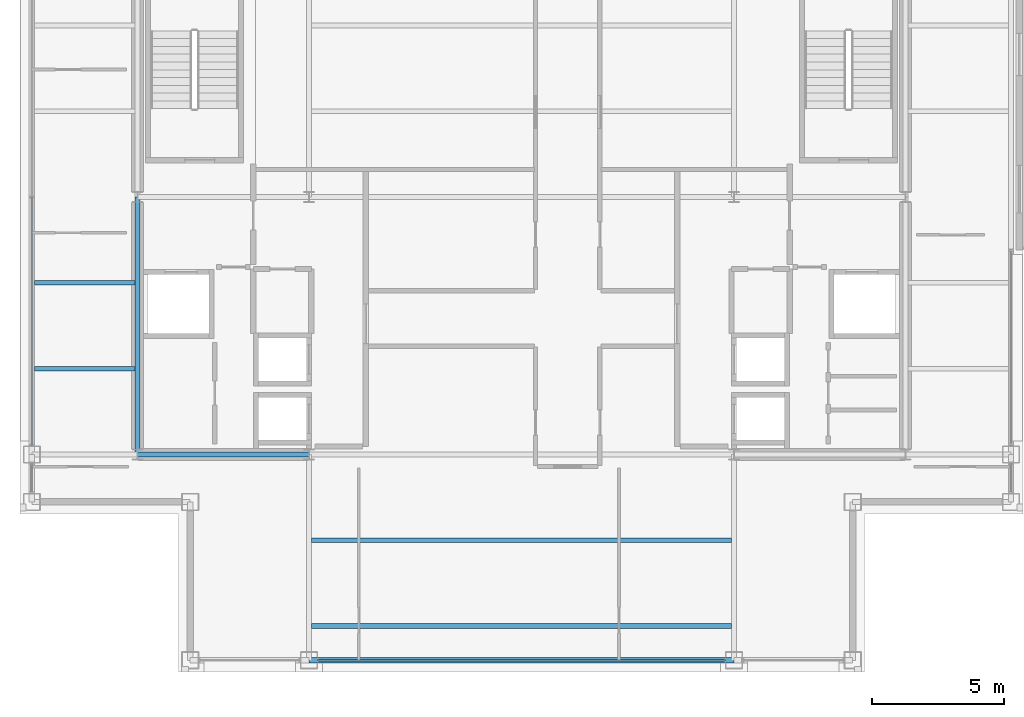
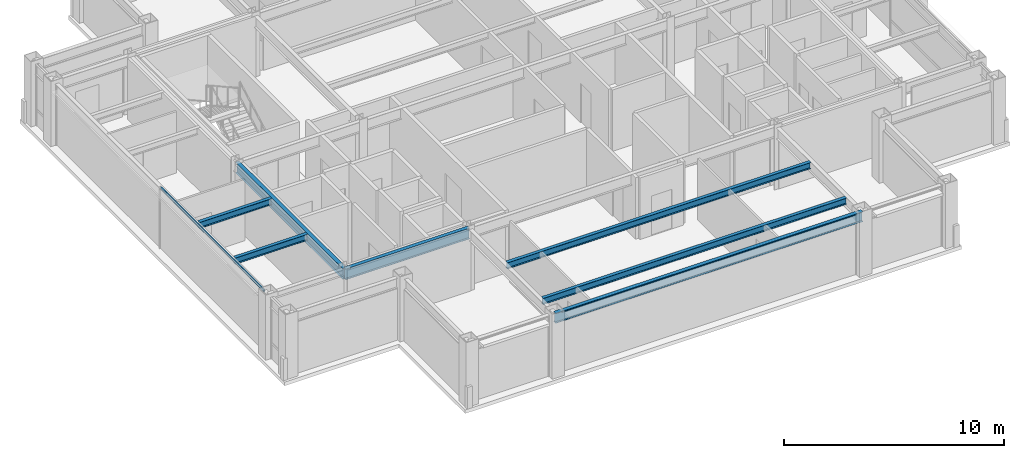
# One storey, part 4 of 24: 7 beams, 2 members, 2 elements without a shape of their own.
"""IFC4 building model written with IfcOpenShell, lengths in metres."""

from ifc_helpers import new_model, si_unit, direction, frame, origin, origin_2d, place, context, subcontext, project, spatial, hollow_rectangle, i_section, extrude, material, layer, layer_set, material_profile, profile_set, type_object, element, aggregate, save


model = new_model("IFC4")

# Units and contexts
model_context = context("Model", 3, precision=1e-05, world=origin(), true_north=direction((0.0, 1.0)))
body_context = subcontext(model_context, "Body", "Model", "MODEL_VIEW")
ifc_project = project(units=[si_unit("LENGTHUNIT", "METRE"), si_unit("AREAUNIT", "SQUARE_METRE"), si_unit("VOLUMEUNIT", "CUBIC_METRE"), si_unit("PLANEANGLEUNIT", "RADIAN"), si_unit("MASSUNIT", "GRAM", prefix="KILO")], contexts=[model_context])

# Site, building, storey
site_placement = place(None, origin())
site = spatial("IfcSite", under=ifc_project, at=site_placement, CompositionType="ELEMENT")
building_placement = place(site_placement, origin())
building = spatial("IfcBuilding", under=site, at=building_placement, Name="Brelmoor Portico Tower", CompositionType="ELEMENT")
storey_placement = place(building_placement, frame((0.0, 0.0, 240.0)))
storey = spatial("IfcBuildingStorey", under=building, at=storey_placement, Name="L63", CompositionType="ELEMENT", Elevation=240.0)

# Beams
ifc_material_1 = material(Name="Steel Q355B", Category="steel")
ifc_material_profile_1 = material_profile(ifc_material_1, i_section(OverallWidth=0.175048828125, OverallDepth=0.35009765625, WebThickness=0.007080078125, FlangeThickness=0.010986328125, at=origin_2d()), Name="HN 350x175x7x11")
ifc_profile_set_1 = profile_set([ifc_material_profile_1], Name="Steel Q355B")
beam_type_1 = type_object("IfcBeamType", Name="BM-JS-350", PredefinedType="JOIST", material=ifc_profile_set_1)
for number, where, z_axis, x_axis, name in (
    (1, (-7.949951171875, -16.25, 3.22509765625), (1.0, 0.0, 0.0), (0.0, 1.0, 0.0), "L63 Secondary Composite Joist JS-C01"),
    (2, (-7.949951171875, -13.0, 3.22509765625), (1.0, 0.0, 0.0), (0.0, 1.0, 0.0), "L63 Secondary Composite Joist JS-C02"),
):
    element("IfcBeam", number, at=place(storey_placement, frame(where, z_axis=z_axis, x_axis=x_axis)), inside=storey, type_object=beam_type_1, Name=name, PredefinedType="JOIST", context=body_context, shape_type="SweptSolid", body=[
        extrude(i_section(OverallWidth=0.175048828125, OverallDepth=0.35009765625, WebThickness=0.007080078125, FlangeThickness=0.010986328125, at=origin_2d()), origin(), (0.0, 0.0, 1.0), 15.89990234375),
    ])
for number, where, z_axis, x_axis, name in (
    (3, (-18.449951171875, -6.5, 3.22509765625), (1.0, 0.0, 0.0), (0.0, 1.0, 0.0), "L63 Secondary Wing Joist JS-W07"),
    (4, (-18.449951171875, -3.25, 3.22509765625), (1.0, 0.0, 0.0), (0.0, 1.0, 0.0), "L63 Secondary Wing Joist JS-W08"),
):
    element("IfcBeam", number, at=place(storey_placement, frame(where, z_axis=z_axis, x_axis=x_axis)), inside=storey, type_object=beam_type_1, Name=name, PredefinedType="JOIST", context=body_context, shape_type="SweptSolid", body=[
        extrude(i_section(OverallWidth=0.175048828125, OverallDepth=0.35009765625, WebThickness=0.007080078125, FlangeThickness=0.010986328125, at=origin_2d()), origin(), (0.0, 0.0, 1.0), 3.800048828125),
    ])
ifc_material_profile_2 = material_profile(ifc_material_1, i_section(OverallWidth=0.199951171875, OverallDepth=0.60009765625, WebThickness=0.010986328125, FlangeThickness=0.01708984375, at=origin_2d()), Name="HN 600x200x11x17")
ifc_profile_set_2 = profile_set([ifc_material_profile_2], Name="Steel Q355B")
beam_type_2 = type_object("IfcBeamType", Name="BM-PG-600", PredefinedType="BEAM", material=ifc_profile_set_2)
beam_1_placement = place(storey_placement, frame((-14.550048828125, -9.75, 3.10009765625), z_axis=(0.0, 1.0, 0.0), x_axis=(-1.0, 0.0, 0.0)))
element("IfcBeam", 5, at=beam_1_placement, inside=storey, type_object=beam_type_2, Name="L63 Primary Floor Girder PG-01", PredefinedType="BEAM", context=body_context, shape_type="SweptSolid", body=[
    extrude(i_section(OverallWidth=0.199951171875, OverallDepth=0.60009765625, WebThickness=0.010986328125, FlangeThickness=0.01708984375, at=origin_2d()), origin(), (0.0, 0.0, 1.0), 9.75),
])
beam_2_placement = place(storey_placement, frame((-14.550048828125, -9.75, 3.10009765625), z_axis=(1.0, 0.0, 0.0), x_axis=(0.0, 1.0, 0.0)))
element("IfcBeam", 6, at=beam_2_placement, inside=storey, type_object=beam_type_2, Name="L63 Primary Floor Girder PG-12", PredefinedType="BEAM", context=body_context, shape_type="SweptSolid", body=[
    extrude(i_section(OverallWidth=0.199951171875, OverallDepth=0.60009765625, WebThickness=0.010986328125, FlangeThickness=0.01708984375, at=origin_2d()), origin(), (0.0, 0.0, 1.0), 6.5),
])
ifc_material_profile_3 = material_profile(ifc_material_1, i_section(OverallWidth=0.199951171875, OverallDepth=0.550048828125, WebThickness=0.010009765625, FlangeThickness=0.01611328125, at=origin_2d()), Name="HN 550x200x10x16")
ifc_profile_set_3 = profile_set([ifc_material_profile_3], Name="Steel Q355B")
beam_type_3 = type_object("IfcBeamType", Name="BM-SP-550", PredefinedType="SPANDREL", material=ifc_profile_set_3)
beam_3_placement = place(storey_placement, frame((-8.050048828125, -17.550048828125, 3.125), z_axis=(1.0, 0.0, 0.0), x_axis=(0.0, 1.0, 0.0)))
element("IfcBeam", 7, at=beam_3_placement, inside=storey, type_object=beam_type_3, Name="L63 Perimeter Spandrel Beam SP-02", PredefinedType="SPANDREL", context=body_context, shape_type="SweptSolid", body=[
    extrude(i_section(OverallWidth=0.199951171875, OverallDepth=0.550048828125, WebThickness=0.010009765625, FlangeThickness=0.01611328125, at=origin_2d()), origin(), (0.0, 0.0, 1.0), 16.10009765625),
])

# Curtain wall, member
ifc_material_2 = material(Name="Anodised Aluminium Alloy 6063-T6", Category="aluminium")
ifc_layer = layer(ifc_material_2, 0.179931640625)
ifc_layer_set = layer_set([ifc_layer], Name="Anodised Aluminium Alloy 6063-T6")
curtain_wall_type = type_object("IfcCurtainWallType", Name="CW-TOWER-Z4-XB", PredefinedType="NOTDEFINED", material=ifc_layer_set)
curtain_wall_1_placement = place(storey_placement, origin())
curtain_wall_1 = element("IfcCurtainWall", 8, at=curtain_wall_1_placement, inside=storey, type_object=curtain_wall_type, Name="L63 Curtain Wall CW-L63-01-2", PredefinedType="NOTDEFINED")
ifc_material_profile_4 = material_profile(ifc_material_2, hollow_rectangle(XDim=0.06005859375, YDim=0.125, WallThickness=0.00341796875, at=origin_2d()), Name="ALU TRANSOM 60x125")
ifc_profile_set_4 = profile_set([ifc_material_profile_4], Name="Anodised Aluminium Alloy 6063-T6")
member_type = type_object("IfcMemberType", Name="MB-CW-TRAN-125", PredefinedType="USERDEFINED", material=ifc_profile_set_4)
member_1_placement = place(storey_placement, frame((-7.715087890625, -17.550048828125, 3.33740234375), z_axis=(1.0, 0.0, 0.0), x_axis=(0.0, 1.0, 0.0)))
member_1 = element("IfcMember", 9, at=member_1_placement, type_object=member_type, Name="CW-L63-01-2 Transom 1-00", ObjectType="TRANSOM", PredefinedType="USERDEFINED", context=body_context, shape_type="SweptSolid", body=[
    extrude(hollow_rectangle(XDim=0.06005859375, YDim=0.125, WallThickness=0.00341796875, at=origin_2d()), origin(), (0.0, 0.0, 1.0), 15.43017578125),
])
aggregate(curtain_wall_1, [member_1])

curtain_wall_2_placement = place(storey_placement, origin())
curtain_wall_2 = element("IfcCurtainWall", 10, at=curtain_wall_2_placement, inside=storey, type_object=curtain_wall_type, Name="L63 Curtain Wall CW-L63-03-2", PredefinedType="NOTDEFINED")
member_2_placement = place(storey_placement, frame((-18.550048828125, -9.4150390625, 3.33740234375), z_axis=(0.0, 1.0, 0.0), x_axis=(-1.0, 0.0, 0.0)))
member_2 = element("IfcMember", 11, at=member_2_placement, type_object=member_type, Name="CW-L63-03-2 Transom 1-00", ObjectType="TRANSOM", PredefinedType="USERDEFINED", context=body_context, shape_type="SweptSolid", body=[
    extrude(hollow_rectangle(XDim=0.06005859375, YDim=0.125, WallThickness=0.00341796875, at=origin_2d()), origin(), (0.0, 0.0, 1.0), 9.4150390625),
])
aggregate(curtain_wall_2, [member_2])

save(model, "model.ifc")
